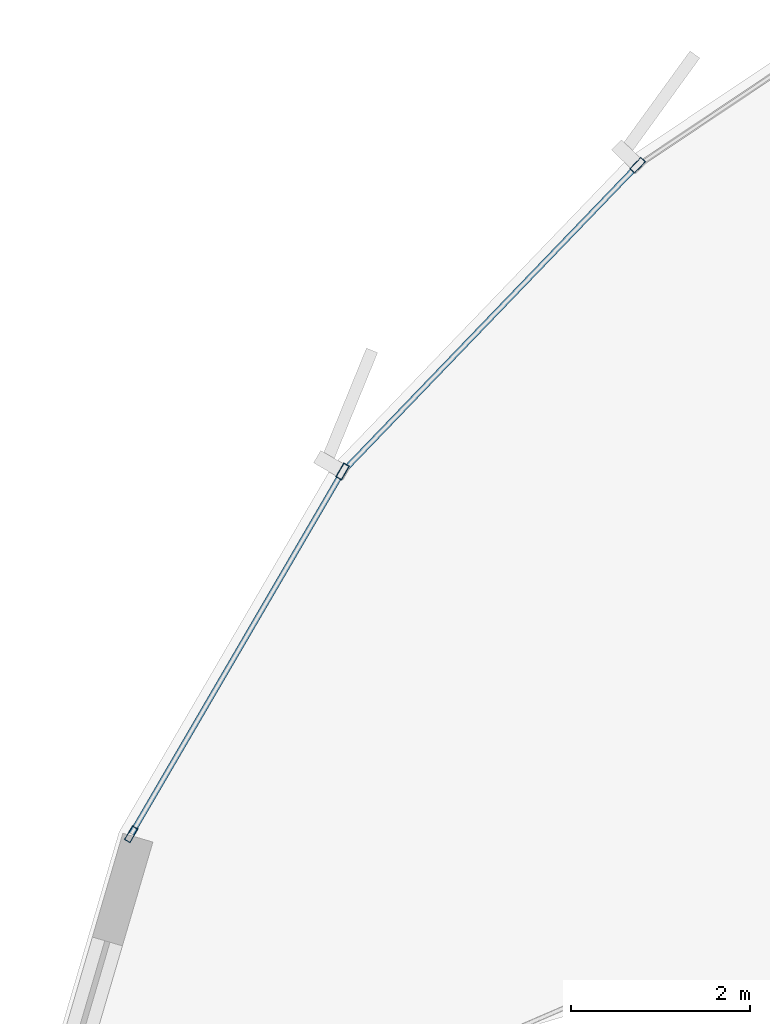
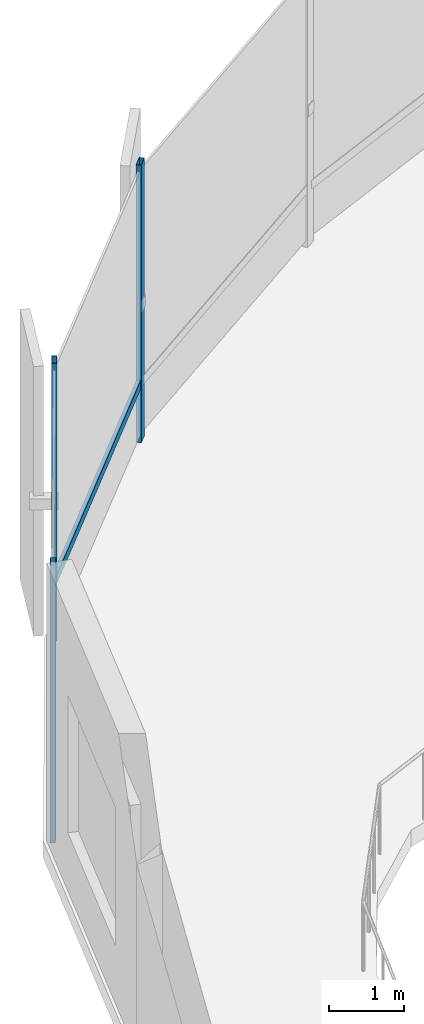
# One storey, part 10 of 34: 5 members, 1 element without a shape of its own.
"""IFC4 building model written with IfcOpenShell, lengths in metres."""

from ifc_helpers import new_model, si_unit, direction, frame, origin, origin_2d, place, context, subcontext, project, spatial, hollow_rectangle, extrude, source, transform, mapped, material, layer, layer_set, material_profile, profile_set, type_object, element, aggregate, save


model = new_model("IFC4")

# Units and contexts
model_context = context("Model", 3, precision=1e-05, world=origin(), true_north=direction((0.0, 1.0)))
body_context = subcontext(model_context, "Body", "Model", "MODEL_VIEW")
ifc_project = project(units=[si_unit("LENGTHUNIT", "METRE"), si_unit("AREAUNIT", "SQUARE_METRE"), si_unit("VOLUMEUNIT", "CUBIC_METRE"), si_unit("PLANEANGLEUNIT", "RADIAN"), si_unit("MASSUNIT", "GRAM", prefix="KILO"), si_unit("THERMODYNAMICTEMPERATUREUNIT", "KELVIN")], contexts=[model_context])

# Site, building, storey
site_placement = place(None, origin())
site = spatial("IfcSite", under=ifc_project, at=site_placement, CompositionType="ELEMENT")
building_placement = place(site_placement, origin())
building = spatial("IfcBuilding", under=site, at=building_placement, Name="Kethvar Cultural Tower", CompositionType="ELEMENT")
storey_placement = place(building_placement, frame((0.0, 0.0, 14.800048828125)))
storey = spatial("IfcBuildingStorey", under=building, at=storey_placement, Name="L03", CompositionType="ELEMENT", Elevation=14.800048828125)

# Curtain wall, members
ifc_material = material(Name="Aluminium 6063-T6", Category="aluminium")
ifc_layer = layer(ifc_material, 0.179931640625, Name="Aluminium 6063-T6", Category="aluminium")
ifc_layer_set = layer_set([ifc_layer], Name="Aluminium 6063-T6 (180 mm)")
curtain_wall_type = type_object("IfcCurtainWallType", Name="CW-SYS-01-POD", PredefinedType="NOTDEFINED", material=ifc_layer_set)
curtain_wall_placement = place(storey_placement, origin())
curtain_wall = element("IfcCurtainWall", 1, at=curtain_wall_placement, inside=storey, type_object=curtain_wall_type, Name="L03 Curtain Wall Run 03", PredefinedType="NOTDEFINED")
ifc_material_profile_1 = material_profile(ifc_material, hollow_rectangle(XDim=0.06005859375, YDim=0.139892578125, WallThickness=0.0048828125, at=origin_2d()), Name="Aluminium 6063-T6 — RHS140x60x5")
ifc_profile_set_1 = profile_set([ifc_material_profile_1], Name="Aluminium 6063-T6 — RHS140x60x5")
member_type_1 = type_object("IfcMemberType", Name="CW-SYS-01-POD-TRN", PredefinedType="USERDEFINED", material=ifc_profile_set_1)
shared_shape_1 = source(origin(), body_context, "Body", "SweptSolid", [
    extrude(hollow_rectangle(XDim=0.06005859375, YDim=0.139892578125, WallThickness=0.0048828125, at=origin_2d()), origin(), (0.0, 0.0, 1.0), 4.639892578125),
])
member_1_placement = place(storey_placement, frame((5.20068359375, 43.881591796875, 0.949951171875), z_axis=(-0.503504560489, -0.863992568004, 0.0), x_axis=(0.863992568004, -0.503504560489, 0.0)))
member_1 = element("IfcMember", 2, at=member_1_placement, type_object=member_type_1, Name="CW-L03-R03 Transom 4", ObjectType="TRANSOM", PredefinedType="USERDEFINED", context=body_context, shape_type="MappedRepresentation", body=[
    mapped(shared_shape_1, transform((0.0, 0.0, 0.0), scale=1.0)),
])
shared_shape_2 = source(origin(), body_context, "Body", "SweptSolid", [
    extrude(hollow_rectangle(XDim=0.06005859375, YDim=0.139892578125, WallThickness=0.0048828125, at=origin_2d()), origin(), (0.0, 0.0, 1.0), 4.6826171875),
])
member_2_placement = place(storey_placement, frame((8.4931640625, 47.31689453125, 0.949951171875), z_axis=(-0.693341040309, -0.72060960431, 0.0), x_axis=(0.72060960431, -0.693341040309, 0.0)))
member_2 = element("IfcMember", 3, at=member_2_placement, type_object=member_type_1, Name="CW-L03-R03 Transom 3", ObjectType="TRANSOM", PredefinedType="USERDEFINED", context=body_context, shape_type="MappedRepresentation", body=[
    mapped(shared_shape_2, transform((0.0, 0.0, 0.0), scale=1.0)),
])
ifc_material_profile_2 = material_profile(ifc_material, hollow_rectangle(XDim=0.074951171875, YDim=0.179931640625, WallThickness=0.006103515625, at=origin_2d()), Name="Aluminium 6063-T6 — RHS180x75x6")
ifc_profile_set_2 = profile_set([ifc_material_profile_2], Name="Aluminium 6063-T6 — RHS180x75x6")
member_type_2 = type_object("IfcMemberType", Name="CW-SYS-01-POD-MUL", PredefinedType="MULLION", material=ifc_profile_set_2)
shared_shape_3 = source(origin(), body_context, "Body", "SweptSolid", [
    extrude(hollow_rectangle(XDim=0.074951171875, YDim=0.179931640625, WallThickness=0.006103515625, at=origin_2d()), origin(), (0.0, 0.0, 1.0), 4.530029296875),
])
member_3_placement = place(storey_placement, frame((8.530517578125, 47.355712890625, 0.0), z_axis=(0.0, 0.0, 1.0), x_axis=(0.720611619661, -0.693338945689, 0.0)))
member_3 = element("IfcMember", 4, at=member_3_placement, type_object=member_type_2, Name="CW-L03-R03 Mullion 3", PredefinedType="MULLION", context=body_context, shape_type="MappedRepresentation", body=[
    mapped(shared_shape_3, transform((0.0, 0.0, 0.0), scale=1.0)),
])
member_4_placement = place(storey_placement, frame((5.227783203125, 43.92822265625, 0.0), z_axis=(0.0, 0.0, 1.0), x_axis=(0.863984939927, -0.503517649721, 0.0)))
member_4 = element("IfcMember", 5, at=member_4_placement, type_object=member_type_2, Name="CW-L03-R03 Mullion 4", PredefinedType="MULLION", context=body_context, shape_type="MappedRepresentation", body=[
    mapped(shared_shape_3, transform((0.0, 0.0, 0.0), scale=1.0)),
])
member_5_placement = place(storey_placement, frame((2.86181640625, 39.868408203125, 0.0), z_axis=(0.0, 0.0, 1.0), x_axis=(0.863984939927, -0.503517649721, 0.0)))
member_5 = element("IfcMember", 6, at=member_5_placement, type_object=member_type_2, Name="CW-L03-R03 Mullion 5", PredefinedType="MULLION", context=body_context, shape_type="MappedRepresentation", body=[
    mapped(shared_shape_3, transform((0.0, 0.0, 0.0), scale=1.0)),
])
aggregate(curtain_wall, [member_3, member_4, member_5, member_2, member_1])

save(model, "model.ifc")
